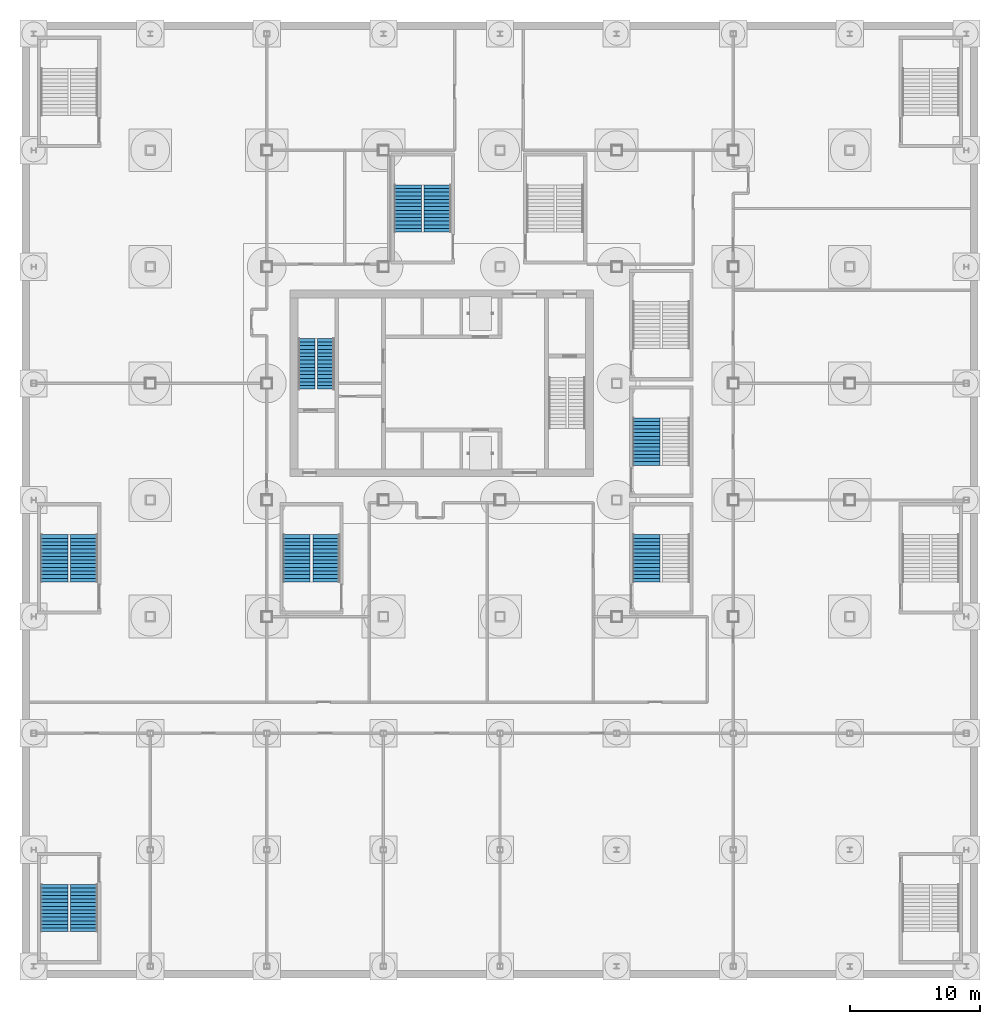
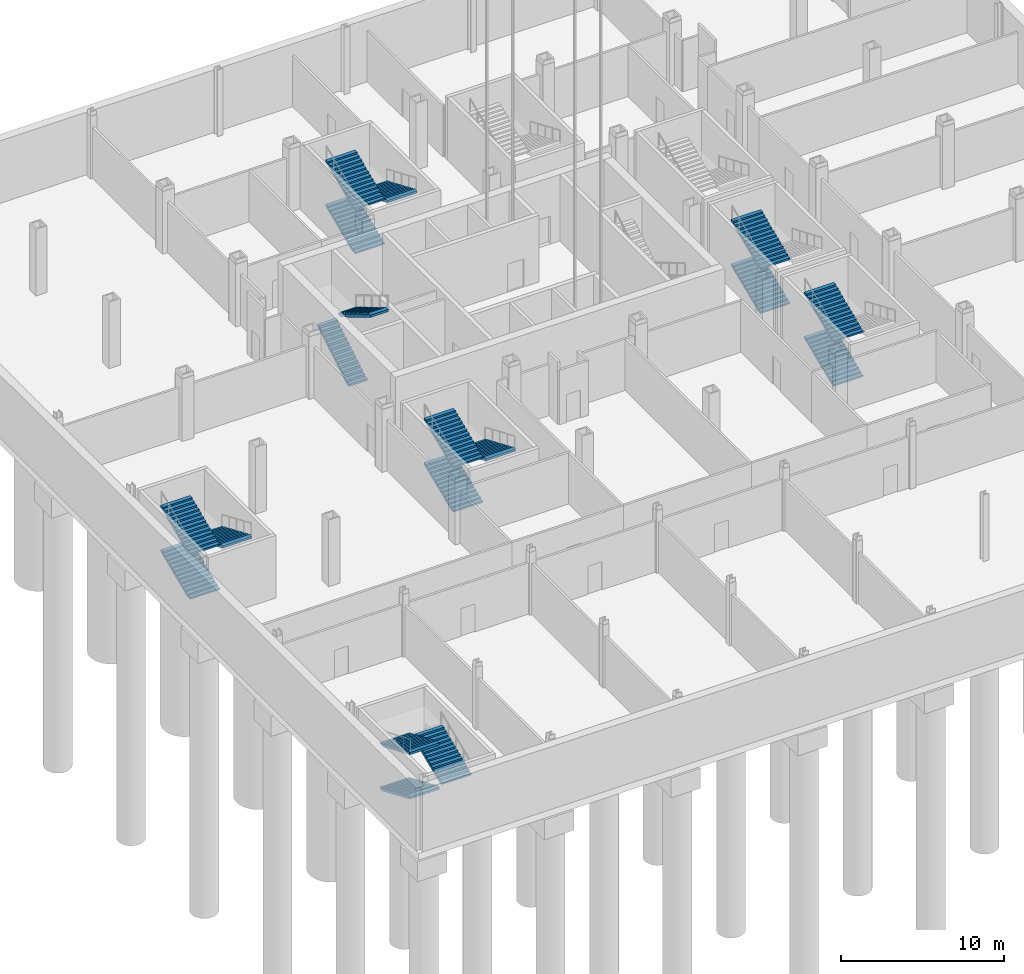
# One storey, part 13 of 28: 18 stair flights, 7 elements without a shape of their own.
"""IFC4 building model written with IfcOpenShell, lengths in metres."""

from ifc_helpers import new_model, si_unit, direction, frame, origin, place, context, subcontext, project, spatial, polyline, outline, extrude, material, type_object, element, aggregate, save


model = new_model("IFC4")

# Units and contexts
model_context = context("Model", 3, precision=1e-05, world=origin(), true_north=direction((0.0, 1.0)))
body_context = subcontext(model_context, "Body", "Model", "MODEL_VIEW")
ifc_project = project(units=[si_unit("LENGTHUNIT", "METRE"), si_unit("AREAUNIT", "SQUARE_METRE"), si_unit("VOLUMEUNIT", "CUBIC_METRE"), si_unit("PLANEANGLEUNIT", "RADIAN"), si_unit("MASSUNIT", "GRAM", prefix="KILO")], contexts=[model_context])

# Site, building, storey
site_placement = place(None, origin())
site = spatial("IfcSite", under=ifc_project, at=site_placement, CompositionType="ELEMENT")
building_placement = place(site_placement, origin())
building = spatial("IfcBuilding", under=site, at=building_placement, Name="Loomwork Tower", CompositionType="ELEMENT")
storey_placement = place(building_placement, frame((0.0, 0.0, -10.5)))
storey = spatial("IfcBuildingStorey", under=building, at=storey_placement, Name="B2", CompositionType="ELEMENT", Elevation=-10.5)

# Stair, stair flights
ifc_material_1 = material(Name="Concrete 5000 psi (34 MPa) precast stair", Category="concrete")
stair_type_1 = type_object("IfcStairType", Name="Stair ST-A 30 risers 2850 wide", PredefinedType="HALF_TURN_STAIR", material=ifc_material_1)
stair_1_placement = place(storey_placement, origin())
stair_1 = element("IfcStair", 1, at=stair_1_placement, inside=storey, type_object=stair_type_1, Name="Stair A B2", PredefinedType="HALF_TURN_STAIR")
ifc_material_2 = material(Name="Concrete 5000 psi (34 MPa) precast stair", Category="concrete")
stair_flight_type_1 = type_object("IfcStairFlightType", Name="Stair flight ST-A 15 risers 1300 wide", PredefinedType="STRAIGHT", material=ifc_material_2)
stair_flight_1_placement = place(storey_placement, frame((12.074951171875, 17.550048828125, 0.0), z_axis=(0.0, 0.0, 1.0), x_axis=(0.0, 1.0, 0.0)))
stair_flight_1 = element("IfcStairFlight", 2, at=stair_flight_1_placement, type_object=stair_flight_type_1, Name="ST-A flight 1", NumberOfRisers=15, NumberOfTreads=14, PredefinedType="STRAIGHT", RiserHeight=0.166666667, TreadLength=0.28, context=body_context, shape_type="SweptSolid", body=[
    extrude(outline(polyline([(0.0, 0.0), (0.0, 0.166748046875), (0.280029296875, 0.166748046875), (0.280029296875, 0.333251953125), (0.56005859375, 0.333251953125), (0.56005859375, 0.5), (0.840087890625, 0.5), (0.840087890625, 0.666748046875), (1.1201171875, 0.666748046875), (1.1201171875, 0.833251953125), (1.39990234375, 0.833251953125), (1.39990234375, 1.0), (1.679931640625, 1.0), (1.679931640625, 1.166748046875), (1.9599609375, 1.166748046875), (1.9599609375, 1.333251953125), (2.239990234375, 1.333251953125), (2.239990234375, 1.5), (2.52001953125, 1.5), (2.52001953125, 1.666748046875), (2.800048828125, 1.666748046875), (2.800048828125, 1.833251953125), (3.080078125, 1.833251953125), (3.080078125, 2.0), (3.360107421875, 2.0), (3.360107421875, 2.166748046875), (3.639892578125, 2.166748046875), (3.639892578125, 2.333251953125), (3.919921875, 2.333251953125), (3.919921875, 2.5), (3.919921875, 2.158935546875), (0.29296875, 0.0), (0.0, 0.0)])), frame((0.0, 0.64990234375, 0.0), z_axis=(0.0, -1.0, 0.0), x_axis=(1.0, 0.0, 0.0)), (0.0, 0.0, 1.0), 1.300048828125),
])
stair_flight_2_placement = place(storey_placement, frame((13.574951171875, 21.469970703125, 2.5), z_axis=(0.0, 0.0, 1.0), x_axis=(0.0, -1.0, 0.0)))
stair_flight_2 = element("IfcStairFlight", 3, at=stair_flight_2_placement, type_object=stair_flight_type_1, Name="ST-A flight 2", NumberOfRisers=15, NumberOfTreads=14, PredefinedType="STRAIGHT", RiserHeight=0.166666667, TreadLength=0.28, context=body_context, shape_type="SweptSolid", body=[
    extrude(outline(polyline([(0.0, 0.0), (0.0, 0.166748046875), (0.280029296875, 0.166748046875), (0.280029296875, 0.333251953125), (0.56005859375, 0.333251953125), (0.56005859375, 0.5), (0.840087890625, 0.5), (0.840087890625, 0.666748046875), (1.1201171875, 0.666748046875), (1.1201171875, 0.833251953125), (1.39990234375, 0.833251953125), (1.39990234375, 1.0), (1.679931640625, 1.0), (1.679931640625, 1.166748046875), (1.9599609375, 1.166748046875), (1.9599609375, 1.333251953125), (2.239990234375, 1.333251953125), (2.239990234375, 1.5), (2.52001953125, 1.5), (2.52001953125, 1.666748046875), (2.800048828125, 1.666748046875), (2.800048828125, 1.833251953125), (3.080078125, 1.833251953125), (3.080078125, 2.0), (3.360107421875, 2.0), (3.360107421875, 2.166748046875), (3.639892578125, 2.166748046875), (3.639892578125, 2.333251953125), (3.919921875, 2.333251953125), (3.919921875, 2.5), (3.919921875, 2.158935546875), (0.29296875, 0.0), (0.0, 0.0)])), frame((0.0, 0.64990234375, 0.0), z_axis=(0.0, -1.0, 0.0), x_axis=(1.0, 0.0, 0.0)), (0.0, 0.0, 1.0), 1.300048828125),
])
aggregate(stair_1, [stair_flight_1, stair_flight_2])

ifc_material_3 = material(Name="Concrete 5000 psi (34 MPa) precast stair", Category="concrete")
stair_type_2 = type_object("IfcStairType", Name="Stair ST-S10P 42 risers of 119 4400 wide", PredefinedType="HALF_TURN_STAIR", material=ifc_material_3)
stair_2_placement = place(storey_placement, origin())
stair_2 = element("IfcStair", 4, at=stair_2_placement, inside=storey, type_object=stair_type_2, Name="Podium stair PS10 B2", PredefinedType="HALF_TURN_STAIR")
ifc_material_4 = material(Name="Concrete 5000 psi (34 MPa) precast stair", Category="concrete")
stair_flight_type_2 = type_object("IfcStairFlightType", Name="Stair flight ST-S10P 14 risers of 119 2100 wide", PredefinedType="STRAIGHT", material=ifc_material_4)
stair_flight_3_placement = place(storey_placement, frame((19.89990234375, 29.679931640625, 0.0), z_axis=(0.0, 0.0, 1.0), x_axis=(0.0, 1.0, 0.0)))
stair_flight_3 = element("IfcStairFlight", 5, at=stair_flight_3_placement, type_object=stair_flight_type_2, Name="ST-S10P flight 1", NumberOfRisers=14, NumberOfTreads=13, PredefinedType="STRAIGHT", RiserHeight=0.119047619, TreadLength=0.28, context=body_context, shape_type="SweptSolid", body=[
    extrude(outline(polyline([(0.0, 0.0), (0.0, 0.119140625), (0.280029296875, 0.119140625), (0.280029296875, 0.238037109375), (0.56005859375, 0.238037109375), (0.56005859375, 0.357177734375), (0.840087890625, 0.357177734375), (0.840087890625, 0.47607421875), (1.1201171875, 0.47607421875), (1.1201171875, 0.59521484375), (1.39990234375, 0.59521484375), (1.39990234375, 0.71435546875), (1.679931640625, 0.71435546875), (1.679931640625, 0.833251953125), (1.9599609375, 0.833251953125), (1.9599609375, 0.952392578125), (2.239990234375, 0.952392578125), (2.239990234375, 1.071533203125), (2.52001953125, 1.071533203125), (2.52001953125, 1.1904296875), (2.800048828125, 1.1904296875), (2.800048828125, 1.3095703125), (3.080078125, 1.3095703125), (3.080078125, 1.428466796875), (3.360107421875, 1.428466796875), (3.360107421875, 1.547607421875), (3.639892578125, 1.547607421875), (3.639892578125, 1.666748046875), (3.639892578125, 1.384765625), (0.383056640625, 0.0), (0.0, 0.0)])), frame((0.0, 1.050048828125, 0.0), z_axis=(0.0, -1.0, 0.0), x_axis=(1.0, 0.0, 0.0)), (0.0, 0.0, 1.0), 2.10009765625),
])
stair_flight_4_placement = place(storey_placement, frame((22.199951171875, 33.320068359375, 1.666748046875), z_axis=(0.0, 0.0, 1.0), x_axis=(0.0, -1.0, 0.0)))
stair_flight_4 = element("IfcStairFlight", 6, at=stair_flight_4_placement, type_object=stair_flight_type_2, Name="ST-S10P flight 2", NumberOfRisers=14, NumberOfTreads=13, PredefinedType="STRAIGHT", RiserHeight=0.119047619, TreadLength=0.28, context=body_context, shape_type="SweptSolid", body=[
    extrude(outline(polyline([(0.0, 0.0), (0.0, 0.119140625), (0.280029296875, 0.119140625), (0.280029296875, 0.238037109375), (0.56005859375, 0.238037109375), (0.56005859375, 0.357177734375), (0.840087890625, 0.357177734375), (0.840087890625, 0.47607421875), (1.1201171875, 0.47607421875), (1.1201171875, 0.59521484375), (1.39990234375, 0.59521484375), (1.39990234375, 0.71435546875), (1.679931640625, 0.71435546875), (1.679931640625, 0.833251953125), (1.9599609375, 0.833251953125), (1.9599609375, 0.952392578125), (2.239990234375, 0.952392578125), (2.239990234375, 1.071533203125), (2.52001953125, 1.071533203125), (2.52001953125, 1.1904296875), (2.800048828125, 1.1904296875), (2.800048828125, 1.3095703125), (3.080078125, 1.3095703125), (3.080078125, 1.428466796875), (3.360107421875, 1.428466796875), (3.360107421875, 1.547607421875), (3.639892578125, 1.547607421875), (3.639892578125, 1.666748046875), (3.639892578125, 1.384765625), (0.383056640625, 0.0), (0.0, 0.0)])), frame((0.0, 1.050048828125, 0.0), z_axis=(0.0, -1.0, 0.0), x_axis=(1.0, 0.0, 0.0)), (0.0, 0.0, 1.0), 2.10009765625),
])
stair_flight_5_placement = place(storey_placement, frame((19.89990234375, 29.679931640625, 3.333251953125), z_axis=(0.0, 0.0, 1.0), x_axis=(0.0, 1.0, 0.0)))
stair_flight_5 = element("IfcStairFlight", 7, at=stair_flight_5_placement, type_object=stair_flight_type_2, Name="ST-S10P flight 3", NumberOfRisers=14, NumberOfTreads=13, PredefinedType="STRAIGHT", RiserHeight=0.119047619, TreadLength=0.28, context=body_context, shape_type="SweptSolid", body=[
    extrude(outline(polyline([(0.0, 0.0), (0.0, 0.119140625), (0.280029296875, 0.119140625), (0.280029296875, 0.238037109375), (0.56005859375, 0.238037109375), (0.56005859375, 0.357177734375), (0.840087890625, 0.357177734375), (0.840087890625, 0.47607421875), (1.1201171875, 0.47607421875), (1.1201171875, 0.59521484375), (1.39990234375, 0.59521484375), (1.39990234375, 0.71435546875), (1.679931640625, 0.71435546875), (1.679931640625, 0.833251953125), (1.9599609375, 0.833251953125), (1.9599609375, 0.952392578125), (2.239990234375, 0.952392578125), (2.239990234375, 1.071533203125), (2.52001953125, 1.071533203125), (2.52001953125, 1.1904296875), (2.800048828125, 1.1904296875), (2.800048828125, 1.3095703125), (3.080078125, 1.3095703125), (3.080078125, 1.428466796875), (3.360107421875, 1.428466796875), (3.360107421875, 1.547607421875), (3.639892578125, 1.547607421875), (3.639892578125, 1.666748046875), (3.639892578125, 1.384765625), (0.383056640625, 0.0), (0.0, 0.0)])), frame((0.0, 1.050048828125, 0.0), z_axis=(0.0, -1.0, 0.0), x_axis=(1.0, 0.0, 0.0)), (0.0, 0.0, 1.0), 2.10009765625),
])
aggregate(stair_2, [stair_flight_3, stair_flight_4, stair_flight_5])

ifc_material_5 = material(Name="Concrete 5000 psi (34 MPa) precast stair", Category="concrete")
stair_type_3 = type_object("IfcStairType", Name="Stair ST-S12P 42 risers of 119 4400 wide", PredefinedType="HALF_TURN_STAIR", material=ifc_material_5)
stair_3_placement = place(storey_placement, origin())
stair_3 = element("IfcStair", 8, at=stair_3_placement, inside=storey, type_object=stair_type_3, Name="Podium stair PS12 B2", PredefinedType="HALF_TURN_STAIR")
ifc_material_6 = material(Name="Concrete 5000 psi (34 MPa) precast stair", Category="concrete")
stair_flight_type_3 = type_object("IfcStairFlightType", Name="Stair flight ST-S12P 14 risers of 119 2100 wide", PredefinedType="STRAIGHT", material=ifc_material_6)
stair_flight_6_placement = place(storey_placement, frame((11.300048828125, 2.679931640625, 0.0), z_axis=(0.0, 0.0, 1.0), x_axis=(0.0, 1.0, 0.0)))
stair_flight_6 = element("IfcStairFlight", 9, at=stair_flight_6_placement, type_object=stair_flight_type_3, Name="ST-S12P flight 1", NumberOfRisers=14, NumberOfTreads=13, PredefinedType="STRAIGHT", RiserHeight=0.119047619, TreadLength=0.28, context=body_context, shape_type="SweptSolid", body=[
    extrude(outline(polyline([(0.0, 0.0), (0.0, 0.119140625), (0.280029296875, 0.119140625), (0.280029296875, 0.238037109375), (0.56005859375, 0.238037109375), (0.56005859375, 0.357177734375), (0.840087890625, 0.357177734375), (0.840087890625, 0.47607421875), (1.1201171875, 0.47607421875), (1.1201171875, 0.59521484375), (1.39990234375, 0.59521484375), (1.39990234375, 0.71435546875), (1.679931640625, 0.71435546875), (1.679931640625, 0.833251953125), (1.9599609375, 0.833251953125), (1.9599609375, 0.952392578125), (2.239990234375, 0.952392578125), (2.239990234375, 1.071533203125), (2.52001953125, 1.071533203125), (2.52001953125, 1.1904296875), (2.800048828125, 1.1904296875), (2.800048828125, 1.3095703125), (3.080078125, 1.3095703125), (3.080078125, 1.428466796875), (3.360107421875, 1.428466796875), (3.360107421875, 1.547607421875), (3.639892578125, 1.547607421875), (3.639892578125, 1.666748046875), (3.639892578125, 1.384765625), (0.383056640625, 0.0), (0.0, 0.0)])), frame((0.0, 1.050048828125, 0.0), z_axis=(0.0, -1.0, 0.0), x_axis=(1.0, 0.0, 0.0)), (0.0, 0.0, 1.0), 2.10009765625),
])
stair_flight_7_placement = place(storey_placement, frame((13.60009765625, 6.320068359375, 1.666748046875), z_axis=(0.0, 0.0, 1.0), x_axis=(0.0, -1.0, 0.0)))
stair_flight_7 = element("IfcStairFlight", 10, at=stair_flight_7_placement, type_object=stair_flight_type_3, Name="ST-S12P flight 2", NumberOfRisers=14, NumberOfTreads=13, PredefinedType="STRAIGHT", RiserHeight=0.119047619, TreadLength=0.28, context=body_context, shape_type="SweptSolid", body=[
    extrude(outline(polyline([(0.0, 0.0), (0.0, 0.119140625), (0.280029296875, 0.119140625), (0.280029296875, 0.238037109375), (0.56005859375, 0.238037109375), (0.56005859375, 0.357177734375), (0.840087890625, 0.357177734375), (0.840087890625, 0.47607421875), (1.1201171875, 0.47607421875), (1.1201171875, 0.59521484375), (1.39990234375, 0.59521484375), (1.39990234375, 0.71435546875), (1.679931640625, 0.71435546875), (1.679931640625, 0.833251953125), (1.9599609375, 0.833251953125), (1.9599609375, 0.952392578125), (2.239990234375, 0.952392578125), (2.239990234375, 1.071533203125), (2.52001953125, 1.071533203125), (2.52001953125, 1.1904296875), (2.800048828125, 1.1904296875), (2.800048828125, 1.3095703125), (3.080078125, 1.3095703125), (3.080078125, 1.428466796875), (3.360107421875, 1.428466796875), (3.360107421875, 1.547607421875), (3.639892578125, 1.547607421875), (3.639892578125, 1.666748046875), (3.639892578125, 1.384765625), (0.383056640625, 0.0), (0.0, 0.0)])), frame((0.0, 1.050048828125, 0.0), z_axis=(0.0, -1.0, 0.0), x_axis=(1.0, 0.0, 0.0)), (0.0, 0.0, 1.0), 2.10009765625),
])
stair_flight_8_placement = place(storey_placement, frame((11.300048828125, 2.679931640625, 3.333251953125), z_axis=(0.0, 0.0, 1.0), x_axis=(0.0, 1.0, 0.0)))
stair_flight_8 = element("IfcStairFlight", 11, at=stair_flight_8_placement, type_object=stair_flight_type_3, Name="ST-S12P flight 3", NumberOfRisers=14, NumberOfTreads=13, PredefinedType="STRAIGHT", RiserHeight=0.119047619, TreadLength=0.28, context=body_context, shape_type="SweptSolid", body=[
    extrude(outline(polyline([(0.0, 0.0), (0.0, 0.119140625), (0.280029296875, 0.119140625), (0.280029296875, 0.238037109375), (0.56005859375, 0.238037109375), (0.56005859375, 0.357177734375), (0.840087890625, 0.357177734375), (0.840087890625, 0.47607421875), (1.1201171875, 0.47607421875), (1.1201171875, 0.59521484375), (1.39990234375, 0.59521484375), (1.39990234375, 0.71435546875), (1.679931640625, 0.71435546875), (1.679931640625, 0.833251953125), (1.9599609375, 0.833251953125), (1.9599609375, 0.952392578125), (2.239990234375, 0.952392578125), (2.239990234375, 1.071533203125), (2.52001953125, 1.071533203125), (2.52001953125, 1.1904296875), (2.800048828125, 1.1904296875), (2.800048828125, 1.3095703125), (3.080078125, 1.3095703125), (3.080078125, 1.428466796875), (3.360107421875, 1.428466796875), (3.360107421875, 1.547607421875), (3.639892578125, 1.547607421875), (3.639892578125, 1.666748046875), (3.639892578125, 1.384765625), (0.383056640625, 0.0), (0.0, 0.0)])), frame((0.0, 1.050048828125, 0.0), z_axis=(0.0, -1.0, 0.0), x_axis=(1.0, 0.0, 0.0)), (0.0, 0.0, 1.0), 2.10009765625),
])
aggregate(stair_3, [stair_flight_6, stair_flight_7, stair_flight_8])

ifc_material_7 = material(Name="Concrete 5000 psi (34 MPa) precast stair", Category="concrete")
stair_type_4 = type_object("IfcStairType", Name="Stair ST-S1P 42 risers of 119 4400 wide", PredefinedType="HALF_TURN_STAIR", material=ifc_material_7)
stair_4_placement = place(storey_placement, origin())
stair_4 = element("IfcStair", 12, at=stair_4_placement, inside=storey, type_object=stair_type_4, Name="Podium stair PS1 B2", PredefinedType="HALF_TURN_STAIR")
ifc_material_8 = material(Name="Concrete 5000 psi (34 MPa) precast stair", Category="concrete")
stair_flight_type_4 = type_object("IfcStairFlightType", Name="Stair flight ST-S1P 14 risers of 119 2100 wide", PredefinedType="STRAIGHT", material=ifc_material_8)
stair_flight_9_placement = place(storey_placement, frame((-7.39990234375, -20.679931640625, 0.0), z_axis=(0.0, 0.0, 1.0), x_axis=(0.0, -1.0, 0.0)))
stair_flight_9 = element("IfcStairFlight", 13, at=stair_flight_9_placement, type_object=stair_flight_type_4, Name="ST-S1P flight 1", NumberOfRisers=14, NumberOfTreads=13, PredefinedType="STRAIGHT", RiserHeight=0.119047619, TreadLength=0.28, context=body_context, shape_type="SweptSolid", body=[
    extrude(outline(polyline([(0.0, 0.0), (0.0, 0.119140625), (0.280029296875, 0.119140625), (0.280029296875, 0.238037109375), (0.56005859375, 0.238037109375), (0.56005859375, 0.357177734375), (0.840087890625, 0.357177734375), (0.840087890625, 0.47607421875), (1.1201171875, 0.47607421875), (1.1201171875, 0.59521484375), (1.39990234375, 0.59521484375), (1.39990234375, 0.71435546875), (1.679931640625, 0.71435546875), (1.679931640625, 0.833251953125), (1.9599609375, 0.833251953125), (1.9599609375, 0.952392578125), (2.239990234375, 0.952392578125), (2.239990234375, 1.071533203125), (2.52001953125, 1.071533203125), (2.52001953125, 1.1904296875), (2.800048828125, 1.1904296875), (2.800048828125, 1.3095703125), (3.080078125, 1.3095703125), (3.080078125, 1.428466796875), (3.360107421875, 1.428466796875), (3.360107421875, 1.547607421875), (3.639892578125, 1.547607421875), (3.639892578125, 1.666748046875), (3.639892578125, 1.384765625), (0.383056640625, 0.0), (0.0, 0.0)])), frame((0.0, 1.050048828125, 0.0), z_axis=(0.0, -1.0, 0.0), x_axis=(1.0, 0.0, 0.0)), (0.0, 0.0, 1.0), 2.10009765625),
])
stair_flight_10_placement = place(storey_placement, frame((-5.10009765625, -24.320068359375, 1.666748046875), z_axis=(0.0, 0.0, 1.0), x_axis=(0.0, 1.0, 0.0)))
stair_flight_10 = element("IfcStairFlight", 14, at=stair_flight_10_placement, type_object=stair_flight_type_4, Name="ST-S1P flight 2", NumberOfRisers=14, NumberOfTreads=13, PredefinedType="STRAIGHT", RiserHeight=0.119047619, TreadLength=0.28, context=body_context, shape_type="SweptSolid", body=[
    extrude(outline(polyline([(0.0, 0.0), (0.0, 0.119140625), (0.280029296875, 0.119140625), (0.280029296875, 0.238037109375), (0.56005859375, 0.238037109375), (0.56005859375, 0.357177734375), (0.840087890625, 0.357177734375), (0.840087890625, 0.47607421875), (1.1201171875, 0.47607421875), (1.1201171875, 0.59521484375), (1.39990234375, 0.59521484375), (1.39990234375, 0.71435546875), (1.679931640625, 0.71435546875), (1.679931640625, 0.833251953125), (1.9599609375, 0.833251953125), (1.9599609375, 0.952392578125), (2.239990234375, 0.952392578125), (2.239990234375, 1.071533203125), (2.52001953125, 1.071533203125), (2.52001953125, 1.1904296875), (2.800048828125, 1.1904296875), (2.800048828125, 1.3095703125), (3.080078125, 1.3095703125), (3.080078125, 1.428466796875), (3.360107421875, 1.428466796875), (3.360107421875, 1.547607421875), (3.639892578125, 1.547607421875), (3.639892578125, 1.666748046875), (3.639892578125, 1.384765625), (0.383056640625, 0.0), (0.0, 0.0)])), frame((0.0, 1.050048828125, 0.0), z_axis=(0.0, -1.0, 0.0), x_axis=(1.0, 0.0, 0.0)), (0.0, 0.0, 1.0), 2.10009765625),
])
stair_flight_11_placement = place(storey_placement, frame((-7.39990234375, -20.679931640625, 3.333251953125), z_axis=(0.0, 0.0, 1.0), x_axis=(0.0, -1.0, 0.0)))
stair_flight_11 = element("IfcStairFlight", 15, at=stair_flight_11_placement, type_object=stair_flight_type_4, Name="ST-S1P flight 3", NumberOfRisers=14, NumberOfTreads=13, PredefinedType="STRAIGHT", RiserHeight=0.119047619, TreadLength=0.28, context=body_context, shape_type="SweptSolid", body=[
    extrude(outline(polyline([(0.0, 0.0), (0.0, 0.119140625), (0.280029296875, 0.119140625), (0.280029296875, 0.238037109375), (0.56005859375, 0.238037109375), (0.56005859375, 0.357177734375), (0.840087890625, 0.357177734375), (0.840087890625, 0.47607421875), (1.1201171875, 0.47607421875), (1.1201171875, 0.59521484375), (1.39990234375, 0.59521484375), (1.39990234375, 0.71435546875), (1.679931640625, 0.71435546875), (1.679931640625, 0.833251953125), (1.9599609375, 0.833251953125), (1.9599609375, 0.952392578125), (2.239990234375, 0.952392578125), (2.239990234375, 1.071533203125), (2.52001953125, 1.071533203125), (2.52001953125, 1.1904296875), (2.800048828125, 1.1904296875), (2.800048828125, 1.3095703125), (3.080078125, 1.3095703125), (3.080078125, 1.428466796875), (3.360107421875, 1.428466796875), (3.360107421875, 1.547607421875), (3.639892578125, 1.547607421875), (3.639892578125, 1.666748046875), (3.639892578125, 1.384765625), (0.383056640625, 0.0), (0.0, 0.0)])), frame((0.0, 1.050048828125, 0.0), z_axis=(0.0, -1.0, 0.0), x_axis=(1.0, 0.0, 0.0)), (0.0, 0.0, 1.0), 2.10009765625),
])
aggregate(stair_4, [stair_flight_9, stair_flight_10, stair_flight_11])

ifc_material_9 = material(Name="Concrete 5000 psi (34 MPa) precast stair", Category="concrete")
stair_type_5 = type_object("IfcStairType", Name="Stair ST-S5P 42 risers of 119 4400 wide", PredefinedType="HALF_TURN_STAIR", material=ifc_material_9)
stair_5_placement = place(storey_placement, origin())
stair_5 = element("IfcStair", 16, at=stair_5_placement, inside=storey, type_object=stair_type_5, Name="Podium stair PS5 B2", PredefinedType="HALF_TURN_STAIR")
ifc_material_10 = material(Name="Concrete 5000 psi (34 MPa) precast stair", Category="concrete")
stair_flight_type_5 = type_object("IfcStairFlightType", Name="Stair flight ST-S5P 14 risers of 119 2100 wide", PredefinedType="STRAIGHT", material=ifc_material_10)
stair_flight_12_placement = place(storey_placement, frame((-7.39990234375, 2.679931640625, 0.0), z_axis=(0.0, 0.0, 1.0), x_axis=(0.0, 1.0, 0.0)))
stair_flight_12 = element("IfcStairFlight", 17, at=stair_flight_12_placement, type_object=stair_flight_type_5, Name="ST-S5P flight 1", NumberOfRisers=14, NumberOfTreads=13, PredefinedType="STRAIGHT", RiserHeight=0.119047619, TreadLength=0.28, context=body_context, shape_type="SweptSolid", body=[
    extrude(outline(polyline([(0.0, 0.0), (0.0, 0.119140625), (0.280029296875, 0.119140625), (0.280029296875, 0.238037109375), (0.56005859375, 0.238037109375), (0.56005859375, 0.357177734375), (0.840087890625, 0.357177734375), (0.840087890625, 0.47607421875), (1.1201171875, 0.47607421875), (1.1201171875, 0.59521484375), (1.39990234375, 0.59521484375), (1.39990234375, 0.71435546875), (1.679931640625, 0.71435546875), (1.679931640625, 0.833251953125), (1.9599609375, 0.833251953125), (1.9599609375, 0.952392578125), (2.239990234375, 0.952392578125), (2.239990234375, 1.071533203125), (2.52001953125, 1.071533203125), (2.52001953125, 1.1904296875), (2.800048828125, 1.1904296875), (2.800048828125, 1.3095703125), (3.080078125, 1.3095703125), (3.080078125, 1.428466796875), (3.360107421875, 1.428466796875), (3.360107421875, 1.547607421875), (3.639892578125, 1.547607421875), (3.639892578125, 1.666748046875), (3.639892578125, 1.384765625), (0.383056640625, 0.0), (0.0, 0.0)])), frame((0.0, 1.050048828125, 0.0), z_axis=(0.0, -1.0, 0.0), x_axis=(1.0, 0.0, 0.0)), (0.0, 0.0, 1.0), 2.10009765625),
])
stair_flight_13_placement = place(storey_placement, frame((-5.10009765625, 6.320068359375, 1.666748046875), z_axis=(0.0, 0.0, 1.0), x_axis=(0.0, -1.0, 0.0)))
stair_flight_13 = element("IfcStairFlight", 18, at=stair_flight_13_placement, type_object=stair_flight_type_5, Name="ST-S5P flight 2", NumberOfRisers=14, NumberOfTreads=13, PredefinedType="STRAIGHT", RiserHeight=0.119047619, TreadLength=0.28, context=body_context, shape_type="SweptSolid", body=[
    extrude(outline(polyline([(0.0, 0.0), (0.0, 0.119140625), (0.280029296875, 0.119140625), (0.280029296875, 0.238037109375), (0.56005859375, 0.238037109375), (0.56005859375, 0.357177734375), (0.840087890625, 0.357177734375), (0.840087890625, 0.47607421875), (1.1201171875, 0.47607421875), (1.1201171875, 0.59521484375), (1.39990234375, 0.59521484375), (1.39990234375, 0.71435546875), (1.679931640625, 0.71435546875), (1.679931640625, 0.833251953125), (1.9599609375, 0.833251953125), (1.9599609375, 0.952392578125), (2.239990234375, 0.952392578125), (2.239990234375, 1.071533203125), (2.52001953125, 1.071533203125), (2.52001953125, 1.1904296875), (2.800048828125, 1.1904296875), (2.800048828125, 1.3095703125), (3.080078125, 1.3095703125), (3.080078125, 1.428466796875), (3.360107421875, 1.428466796875), (3.360107421875, 1.547607421875), (3.639892578125, 1.547607421875), (3.639892578125, 1.666748046875), (3.639892578125, 1.384765625), (0.383056640625, 0.0), (0.0, 0.0)])), frame((0.0, 1.050048828125, 0.0), z_axis=(0.0, -1.0, 0.0), x_axis=(1.0, 0.0, 0.0)), (0.0, 0.0, 1.0), 2.10009765625),
])
stair_flight_14_placement = place(storey_placement, frame((-7.39990234375, 2.679931640625, 3.333251953125), z_axis=(0.0, 0.0, 1.0), x_axis=(0.0, 1.0, 0.0)))
stair_flight_14 = element("IfcStairFlight", 19, at=stair_flight_14_placement, type_object=stair_flight_type_5, Name="ST-S5P flight 3", NumberOfRisers=14, NumberOfTreads=13, PredefinedType="STRAIGHT", RiserHeight=0.119047619, TreadLength=0.28, context=body_context, shape_type="SweptSolid", body=[
    extrude(outline(polyline([(0.0, 0.0), (0.0, 0.119140625), (0.280029296875, 0.119140625), (0.280029296875, 0.238037109375), (0.56005859375, 0.238037109375), (0.56005859375, 0.357177734375), (0.840087890625, 0.357177734375), (0.840087890625, 0.47607421875), (1.1201171875, 0.47607421875), (1.1201171875, 0.59521484375), (1.39990234375, 0.59521484375), (1.39990234375, 0.71435546875), (1.679931640625, 0.71435546875), (1.679931640625, 0.833251953125), (1.9599609375, 0.833251953125), (1.9599609375, 0.952392578125), (2.239990234375, 0.952392578125), (2.239990234375, 1.071533203125), (2.52001953125, 1.071533203125), (2.52001953125, 1.1904296875), (2.800048828125, 1.1904296875), (2.800048828125, 1.3095703125), (3.080078125, 1.3095703125), (3.080078125, 1.428466796875), (3.360107421875, 1.428466796875), (3.360107421875, 1.547607421875), (3.639892578125, 1.547607421875), (3.639892578125, 1.666748046875), (3.639892578125, 1.384765625), (0.383056640625, 0.0), (0.0, 0.0)])), frame((0.0, 1.050048828125, 0.0), z_axis=(0.0, -1.0, 0.0), x_axis=(1.0, 0.0, 0.0)), (0.0, 0.0, 1.0), 2.10009765625),
])
aggregate(stair_5, [stair_flight_12, stair_flight_13, stair_flight_14])

ifc_material_11 = material(Name="Concrete 5000 psi (34 MPa) precast stair", Category="concrete")
stair_type_6 = type_object("IfcStairType", Name="Stair ST-S7P 42 risers of 119 4400 wide", PredefinedType="HALF_TURN_STAIR", material=ifc_material_11)
stair_6_placement = place(storey_placement, origin())
stair_6 = element("IfcStair", 20, at=stair_6_placement, inside=storey, type_object=stair_type_6, Name="Podium stair PS7 B2", PredefinedType="HALF_TURN_STAIR")
ifc_material_12 = material(Name="Concrete 5000 psi (34 MPa) precast stair", Category="concrete")
stair_flight_type_6 = type_object("IfcStairFlightType", Name="Stair flight ST-S7P 14 risers of 119 2100 wide", PredefinedType="STRAIGHT", material=ifc_material_12)
stair_flight_15_placement = place(storey_placement, frame((38.300048828125, 2.679931640625, 0.0), z_axis=(0.0, 0.0, 1.0), x_axis=(0.0, 1.0, 0.0)))
stair_flight_15 = element("IfcStairFlight", 21, at=stair_flight_15_placement, type_object=stair_flight_type_6, Name="ST-S7P flight 1", NumberOfRisers=14, NumberOfTreads=13, PredefinedType="STRAIGHT", RiserHeight=0.119047619, TreadLength=0.28, context=body_context, shape_type="SweptSolid", body=[
    extrude(outline(polyline([(0.0, 0.0), (0.0, 0.119140625), (0.280029296875, 0.119140625), (0.280029296875, 0.238037109375), (0.56005859375, 0.238037109375), (0.56005859375, 0.357177734375), (0.840087890625, 0.357177734375), (0.840087890625, 0.47607421875), (1.1201171875, 0.47607421875), (1.1201171875, 0.59521484375), (1.39990234375, 0.59521484375), (1.39990234375, 0.71435546875), (1.679931640625, 0.71435546875), (1.679931640625, 0.833251953125), (1.9599609375, 0.833251953125), (1.9599609375, 0.952392578125), (2.239990234375, 0.952392578125), (2.239990234375, 1.071533203125), (2.52001953125, 1.071533203125), (2.52001953125, 1.1904296875), (2.800048828125, 1.1904296875), (2.800048828125, 1.3095703125), (3.080078125, 1.3095703125), (3.080078125, 1.428466796875), (3.360107421875, 1.428466796875), (3.360107421875, 1.547607421875), (3.639892578125, 1.547607421875), (3.639892578125, 1.666748046875), (3.639892578125, 1.384765625), (0.383056640625, 0.0), (0.0, 0.0)])), frame((0.0, 1.050048828125, 0.0), z_axis=(0.0, -1.0, 0.0), x_axis=(1.0, 0.0, 0.0)), (0.0, 0.0, 1.0), 2.10009765625),
])
stair_flight_16_placement = place(storey_placement, frame((38.300048828125, 2.679931640625, 3.333251953125), z_axis=(0.0, 0.0, 1.0), x_axis=(0.0, 1.0, 0.0)))
stair_flight_16 = element("IfcStairFlight", 22, at=stair_flight_16_placement, type_object=stair_flight_type_6, Name="ST-S7P flight 3", NumberOfRisers=14, NumberOfTreads=13, PredefinedType="STRAIGHT", RiserHeight=0.119047619, TreadLength=0.28, context=body_context, shape_type="SweptSolid", body=[
    extrude(outline(polyline([(0.0, 0.0), (0.0, 0.119140625), (0.280029296875, 0.119140625), (0.280029296875, 0.238037109375), (0.56005859375, 0.238037109375), (0.56005859375, 0.357177734375), (0.840087890625, 0.357177734375), (0.840087890625, 0.47607421875), (1.1201171875, 0.47607421875), (1.1201171875, 0.59521484375), (1.39990234375, 0.59521484375), (1.39990234375, 0.71435546875), (1.679931640625, 0.71435546875), (1.679931640625, 0.833251953125), (1.9599609375, 0.833251953125), (1.9599609375, 0.952392578125), (2.239990234375, 0.952392578125), (2.239990234375, 1.071533203125), (2.52001953125, 1.071533203125), (2.52001953125, 1.1904296875), (2.800048828125, 1.1904296875), (2.800048828125, 1.3095703125), (3.080078125, 1.3095703125), (3.080078125, 1.428466796875), (3.360107421875, 1.428466796875), (3.360107421875, 1.547607421875), (3.639892578125, 1.547607421875), (3.639892578125, 1.666748046875), (3.639892578125, 1.384765625), (0.383056640625, 0.0), (0.0, 0.0)])), frame((0.0, 1.050048828125, 0.0), z_axis=(0.0, -1.0, 0.0), x_axis=(1.0, 0.0, 0.0)), (0.0, 0.0, 1.0), 2.10009765625),
])
aggregate(stair_6, [stair_flight_15, stair_flight_16])

ifc_material_13 = material(Name="Concrete 5000 psi (34 MPa) precast stair", Category="concrete")
stair_type_7 = type_object("IfcStairType", Name="Stair ST-S8P 42 risers of 119 4400 wide", PredefinedType="HALF_TURN_STAIR", material=ifc_material_13)
stair_7_placement = place(storey_placement, origin())
stair_7 = element("IfcStair", 23, at=stair_7_placement, inside=storey, type_object=stair_type_7, Name="Podium stair PS8 B2", PredefinedType="HALF_TURN_STAIR")
ifc_material_14 = material(Name="Concrete 5000 psi (34 MPa) precast stair", Category="concrete")
stair_flight_type_7 = type_object("IfcStairFlightType", Name="Stair flight ST-S8P 14 risers of 119 2100 wide", PredefinedType="STRAIGHT", material=ifc_material_14)
stair_flight_17_placement = place(storey_placement, frame((38.300048828125, 11.679931640625, 0.0), z_axis=(0.0, 0.0, 1.0), x_axis=(0.0, 1.0, 0.0)))
stair_flight_17 = element("IfcStairFlight", 24, at=stair_flight_17_placement, type_object=stair_flight_type_7, Name="ST-S8P flight 1", NumberOfRisers=14, NumberOfTreads=13, PredefinedType="STRAIGHT", RiserHeight=0.119047619, TreadLength=0.28, context=body_context, shape_type="SweptSolid", body=[
    extrude(outline(polyline([(0.0, 0.0), (0.0, 0.119140625), (0.280029296875, 0.119140625), (0.280029296875, 0.238037109375), (0.56005859375, 0.238037109375), (0.56005859375, 0.357177734375), (0.840087890625, 0.357177734375), (0.840087890625, 0.47607421875), (1.1201171875, 0.47607421875), (1.1201171875, 0.59521484375), (1.39990234375, 0.59521484375), (1.39990234375, 0.71435546875), (1.679931640625, 0.71435546875), (1.679931640625, 0.833251953125), (1.9599609375, 0.833251953125), (1.9599609375, 0.952392578125), (2.239990234375, 0.952392578125), (2.239990234375, 1.071533203125), (2.52001953125, 1.071533203125), (2.52001953125, 1.1904296875), (2.800048828125, 1.1904296875), (2.800048828125, 1.3095703125), (3.080078125, 1.3095703125), (3.080078125, 1.428466796875), (3.360107421875, 1.428466796875), (3.360107421875, 1.547607421875), (3.639892578125, 1.547607421875), (3.639892578125, 1.666748046875), (3.639892578125, 1.384765625), (0.383056640625, 0.0), (0.0, 0.0)])), frame((0.0, 1.050048828125, 0.0), z_axis=(0.0, -1.0, 0.0), x_axis=(1.0, 0.0, 0.0)), (0.0, 0.0, 1.0), 2.10009765625),
])
stair_flight_18_placement = place(storey_placement, frame((38.300048828125, 11.679931640625, 3.333251953125), z_axis=(0.0, 0.0, 1.0), x_axis=(0.0, 1.0, 0.0)))
stair_flight_18 = element("IfcStairFlight", 25, at=stair_flight_18_placement, type_object=stair_flight_type_7, Name="ST-S8P flight 3", NumberOfRisers=14, NumberOfTreads=13, PredefinedType="STRAIGHT", RiserHeight=0.119047619, TreadLength=0.28, context=body_context, shape_type="SweptSolid", body=[
    extrude(outline(polyline([(0.0, 0.0), (0.0, 0.119140625), (0.280029296875, 0.119140625), (0.280029296875, 0.238037109375), (0.56005859375, 0.238037109375), (0.56005859375, 0.357177734375), (0.840087890625, 0.357177734375), (0.840087890625, 0.47607421875), (1.1201171875, 0.47607421875), (1.1201171875, 0.59521484375), (1.39990234375, 0.59521484375), (1.39990234375, 0.71435546875), (1.679931640625, 0.71435546875), (1.679931640625, 0.833251953125), (1.9599609375, 0.833251953125), (1.9599609375, 0.952392578125), (2.239990234375, 0.952392578125), (2.239990234375, 1.071533203125), (2.52001953125, 1.071533203125), (2.52001953125, 1.1904296875), (2.800048828125, 1.1904296875), (2.800048828125, 1.3095703125), (3.080078125, 1.3095703125), (3.080078125, 1.428466796875), (3.360107421875, 1.428466796875), (3.360107421875, 1.547607421875), (3.639892578125, 1.547607421875), (3.639892578125, 1.666748046875), (3.639892578125, 1.384765625), (0.383056640625, 0.0), (0.0, 0.0)])), frame((0.0, 1.050048828125, 0.0), z_axis=(0.0, -1.0, 0.0), x_axis=(1.0, 0.0, 0.0)), (0.0, 0.0, 1.0), 2.10009765625),
])
aggregate(stair_7, [stair_flight_17, stair_flight_18])

save(model, "model.ifc")
